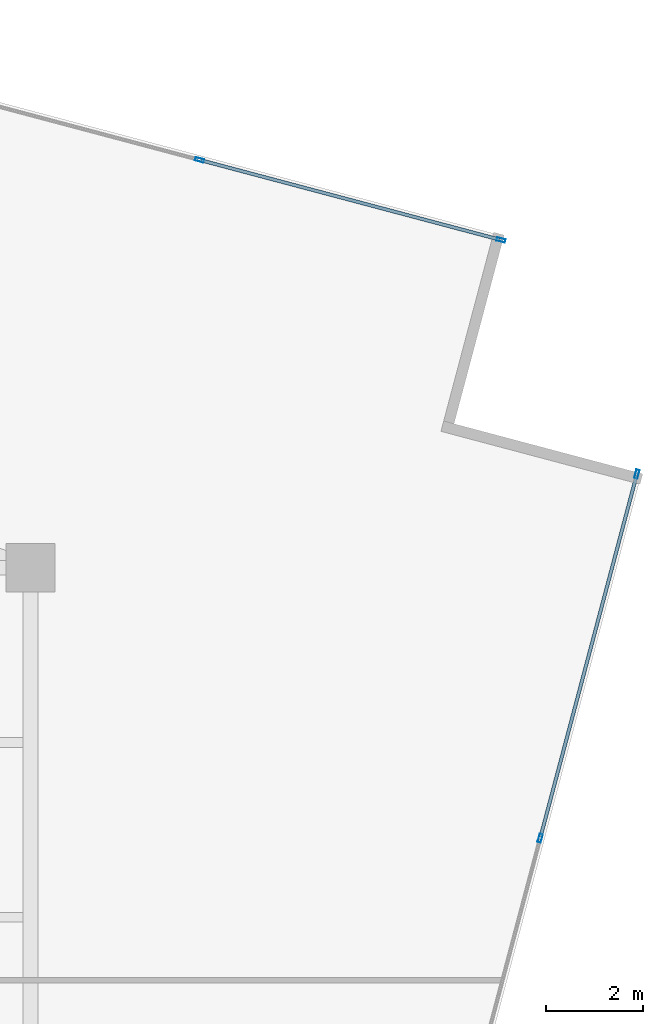
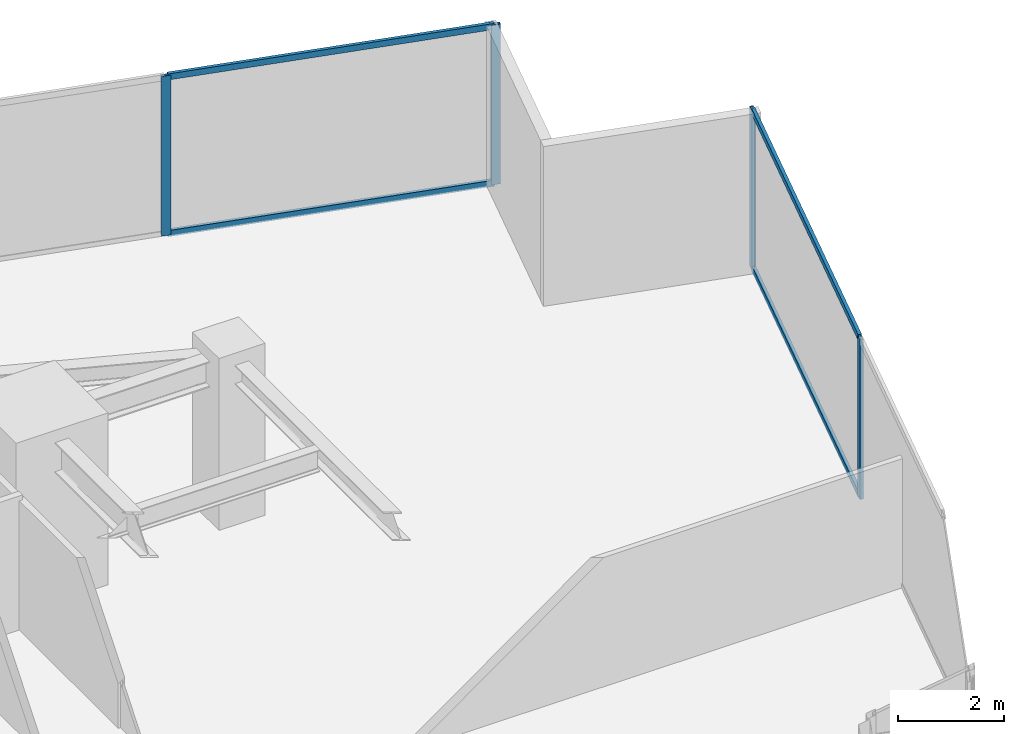
# One storey, part 20 of 27: 8 members, 2 elements without a shape of their own.
"""IFC4 building model written with IfcOpenShell, lengths in metres."""

from ifc_helpers import new_model, si_unit, direction, frame, origin, origin_2d, place, context, subcontext, project, spatial, hollow_rectangle, extrude, source, transform, mapped, material, material_profile, profile_set, type_object, type_shapes, element, aggregate, save


model = new_model("IFC4")

# Units and contexts
model_context = context("Model", 3, precision=1e-05, world=origin(), true_north=direction((0.0, 1.0)))
body_context = subcontext(model_context, "Body", "Model", "MODEL_VIEW")
ifc_project = project(units=[si_unit("LENGTHUNIT", "METRE"), si_unit("AREAUNIT", "SQUARE_METRE"), si_unit("VOLUMEUNIT", "CUBIC_METRE"), si_unit("PLANEANGLEUNIT", "RADIAN"), si_unit("MASSUNIT", "GRAM", prefix="KILO")], contexts=[model_context])

# Site, building, storey
site_placement = place(None, origin())
site = spatial("IfcSite", under=ifc_project, at=site_placement, CompositionType="ELEMENT")
building_placement = place(site_placement, origin())
building = spatial("IfcBuilding", under=site, at=building_placement, Name="Krantzveldt Concourse Tower", CompositionType="ELEMENT")
storey_placement = place(building_placement, frame((0.0, 0.0, 97.949951171875)))
storey = spatial("IfcBuildingStorey", under=building, at=storey_placement, Name="L23", CompositionType="ELEMENT", Elevation=97.949951171875)

# Curtain wall, members
ifc_material = material(Name="Anodised aluminium 6063-T6", Category="aluminium")
curtain_wall_type = type_object("IfcCurtainWallType", Name="CW2", PredefinedType="USERDEFINED", material=ifc_material)
curtain_wall_1_placement = place(storey_placement, origin())
curtain_wall_1 = element("IfcCurtainWall", 1, at=curtain_wall_1_placement, inside=storey, type_object=curtain_wall_type, Name="CW-L23-F11", ObjectType="UNITISED CURTAIN WALL", PredefinedType="USERDEFINED")
ifc_material_profile_1 = material_profile(ifc_material, hollow_rectangle(XDim=0.070068359375, YDim=0.179931640625, WallThickness=0.0048828125, at=origin_2d()), Name="Anodised aluminium 6063-T6", Category="aluminium")
ifc_profile_set_1 = profile_set([ifc_material_profile_1], Name="Anodised aluminium 6063-T6 - ALU-MULL 180x70x5")
member_type_1 = type_object("IfcMemberType", Name="CW-MUL-180", PredefinedType="MULLION", material=ifc_profile_set_1)
shared_shape_1 = source(origin(), body_context, "Body", "SweptSolid", [
    extrude(hollow_rectangle(XDim=0.070068359375, YDim=0.179931640625, WallThickness=0.0048828125, at=origin_2d()), origin(), (0.0, 0.0, 1.0), 3.670166015625),
])
type_shapes(member_type_1, [shared_shape_1])
member_1_placement = place(storey_placement, frame((61.506591796875, 31.92724609375, 0.0), z_axis=(0.0, 0.0, 1.0), x_axis=(-0.966488210944, 0.256711001141, 0.0)))
member_1 = element("IfcMember", 2, at=member_1_placement, type_object=member_type_1, Name="CW-Z12 mullion 2", PredefinedType="MULLION", context=body_context, shape_type="MappedRepresentation", body=[
    mapped(shared_shape_1, transform((0.0, 0.0, 0.0), x_axis=(1.0, 0.0, 0.0), y_axis=(0.0, 1.0, 0.0), z_axis=(0.0, 0.0, 1.0), scale=1.0)),
])
member_2_placement = place(storey_placement, frame((63.5, 39.43212890625, 0.0), z_axis=(0.0, 0.0, 1.0), x_axis=(-0.966488210944, 0.256711001141, 0.0)))
member_2 = element("IfcMember", 3, at=member_2_placement, type_object=member_type_1, Name="CW-Z12 mullion 3", PredefinedType="MULLION", context=body_context, shape_type="MappedRepresentation", body=[
    mapped(shared_shape_1, transform((0.0, 0.0, 0.0), x_axis=(1.0, 0.0, 0.0), y_axis=(0.0, 1.0, 0.0), z_axis=(0.0, 0.0, 1.0), scale=1.0)),
])

curtain_wall_2_placement = place(storey_placement, origin())
curtain_wall_2 = element("IfcCurtainWall", 4, at=curtain_wall_2_placement, inside=storey, type_object=curtain_wall_type, Name="CW-L23-F14", ObjectType="UNITISED CURTAIN WALL", PredefinedType="USERDEFINED")
member_3_placement = place(storey_placement, frame((60.699951171875, 44.257568359375, 0.0), z_axis=(0.0, 0.0, 1.0), x_axis=(-0.256711093648, -0.966488186373, 0.0)))
member_3 = element("IfcMember", 5, at=member_3_placement, type_object=member_type_1, Name="CW-Z12 mullion 1", PredefinedType="MULLION", context=body_context, shape_type="MappedRepresentation", body=[
    mapped(shared_shape_1, transform((0.0, 0.0, 0.0), x_axis=(1.0, 0.0, 0.0), y_axis=(0.0, 1.0, 0.0), z_axis=(0.0, 0.0, 1.0), scale=1.0)),
])
member_4_placement = place(storey_placement, frame((54.48388671875, 45.90869140625, 0.0), z_axis=(0.0, 0.0, 1.0), x_axis=(-0.256711093648, -0.966488186373, 0.0)))
member_4 = element("IfcMember", 6, at=member_4_placement, type_object=member_type_1, Name="CW-Z12 mullion 2", PredefinedType="MULLION", context=body_context, shape_type="MappedRepresentation", body=[
    mapped(shared_shape_1, transform((0.0, 0.0, 0.0), x_axis=(1.0, 0.0, 0.0), y_axis=(0.0, 1.0, 0.0), z_axis=(0.0, 0.0, 1.0), scale=1.0)),
])
ifc_material_profile_2 = material_profile(ifc_material, hollow_rectangle(XDim=0.070068359375, YDim=0.139892578125, WallThickness=0.0048828125, at=origin_2d()), Name="Anodised aluminium 6063-T6", Category="aluminium")
ifc_profile_set_2 = profile_set([ifc_material_profile_2], Name="Anodised aluminium 6063-T6 - ALU-TRAN 140x70x5")
member_type_2 = type_object("IfcMemberType", Name="CW-TRN-150", PredefinedType="USERDEFINED", material=ifc_profile_set_2)
shared_shape_2 = source(origin(), body_context, "Body", "SweptSolid", [
    extrude(hollow_rectangle(XDim=0.070068359375, YDim=0.139892578125, WallThickness=0.0048828125, at=origin_2d()), origin(), (0.0, 0.0, 1.0), 6.36181640625),
])
member_5_placement = place(storey_placement, frame((60.666259765625, 44.2666015625, 0.03515625), z_axis=(-0.96649241661, 0.256695166754, 0.0), x_axis=(-0.256695166754, -0.96649241661, 0.0)))
member_5 = element("IfcMember", 7, at=member_5_placement, type_object=member_type_2, Name="CW-Z12 transom 1.1", ObjectType="TRANSOM", PredefinedType="USERDEFINED", context=body_context, shape_type="MappedRepresentation", body=[
    mapped(shared_shape_2, transform((0.0, 0.0, 0.0), x_axis=(1.0, 0.0, 0.0), y_axis=(0.0, 1.0, 0.0), z_axis=(0.0, 0.0, 1.0), scale=1.0)),
])
member_6_placement = place(storey_placement, frame((60.666259765625, 44.2666015625, 3.635009765625), z_axis=(-0.96649241661, 0.256695166754, 0.0), x_axis=(-0.256695166754, -0.96649241661, 0.0)))
member_6 = element("IfcMember", 8, at=member_6_placement, type_object=member_type_2, Name="CW-Z12 transom 1.2", ObjectType="TRANSOM", PredefinedType="USERDEFINED", context=body_context, shape_type="MappedRepresentation", body=[
    mapped(shared_shape_2, transform((0.0, 0.0, 0.0), x_axis=(1.0, 0.0, 0.0), y_axis=(0.0, 1.0, 0.0), z_axis=(0.0, 0.0, 1.0), scale=1.0)),
])
aggregate(curtain_wall_2, [member_3, member_4, member_5, member_6])

# Member
shared_shape_3 = source(origin(), body_context, "Body", "SweptSolid", [
    extrude(hollow_rectangle(XDim=0.070068359375, YDim=0.139892578125, WallThickness=0.0048828125, at=origin_2d()), origin(), (0.0, 0.0, 1.0), 7.69482421875),
])
type_shapes(member_type_2, [shared_shape_2, shared_shape_3])
member_7_placement = place(storey_placement, frame((61.515625, 31.961181640625, 0.03515625), z_axis=(0.256708719645, 0.966488816934, 0.0), x_axis=(-0.966488816934, 0.256708719645, 0.0)))
member_7 = element("IfcMember", 9, at=member_7_placement, type_object=member_type_2, Name="CW-Z12 transom 2.1", ObjectType="TRANSOM", PredefinedType="USERDEFINED", context=body_context, shape_type="MappedRepresentation", body=[
    mapped(shared_shape_3, transform((0.0, 0.0, 0.0), x_axis=(1.0, 0.0, 0.0), y_axis=(0.0, 1.0, 0.0), z_axis=(0.0, 0.0, 1.0), scale=1.0)),
])

member_8_placement = place(storey_placement, frame((61.515625, 31.961181640625, 3.635009765625), z_axis=(0.256708719645, 0.966488816934, 0.0), x_axis=(-0.966488816934, 0.256708719645, 0.0)))
member_8 = element("IfcMember", 10, at=member_8_placement, type_object=member_type_2, Name="CW-Z12 transom 2.2", ObjectType="TRANSOM", PredefinedType="USERDEFINED", context=body_context, shape_type="MappedRepresentation", body=[
    mapped(shared_shape_3, transform((0.0, 0.0, 0.0), x_axis=(1.0, 0.0, 0.0), y_axis=(0.0, 1.0, 0.0), z_axis=(0.0, 0.0, 1.0), scale=1.0)),
])

aggregate(curtain_wall_1, [member_1, member_2, member_7, member_8])

save(model, "model.ifc")
